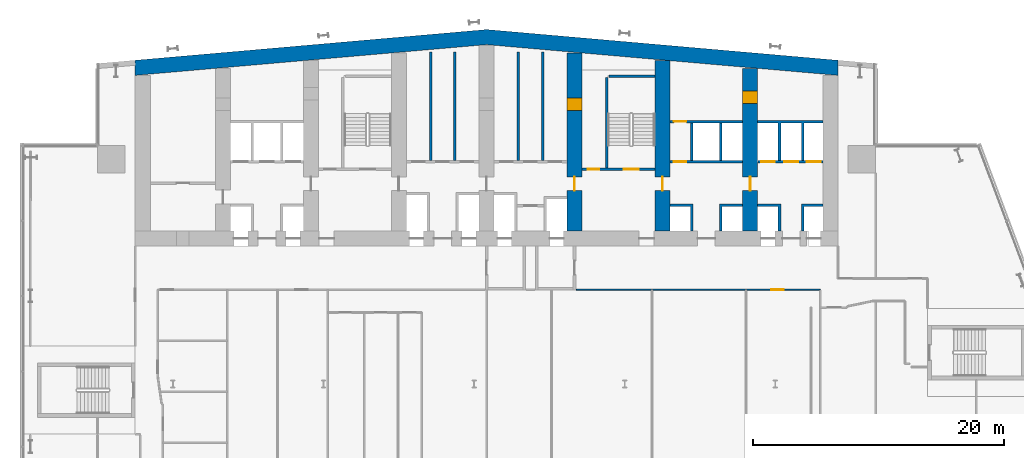
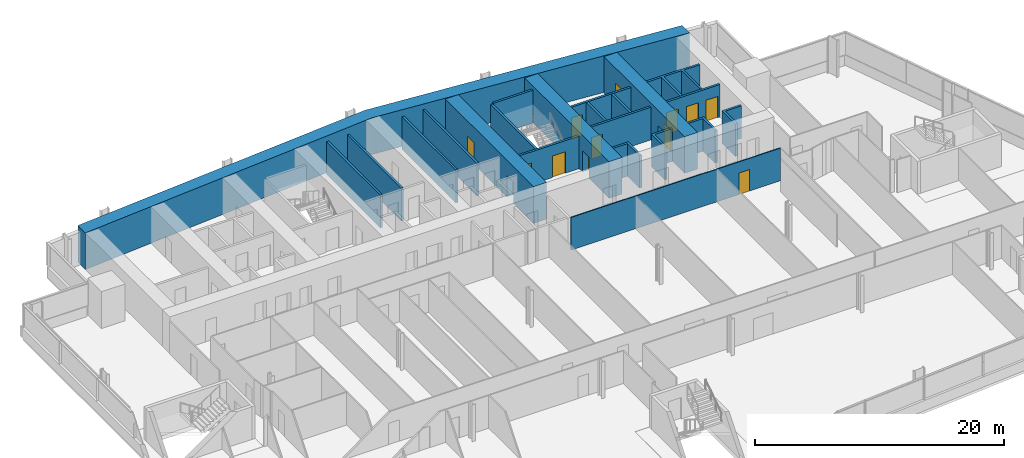
# One storey, part 17 of 24: 22 walls, 13 doors, 13 openings.
"""IFC4 building model written with IfcOpenShell, lengths in metres."""

from ifc_helpers import new_model, si_unit, direction, frame, frame_2d, origin, place, context, subcontext, project, spatial, polyline, rectangle, outline, extrude, material, layer, layer_set, type_object, element, fill, save


model = new_model("IFC4")

# Units and contexts
model_context = context("Model", 3, precision=1e-05, world=origin(), true_north=direction((0.0, 1.0)))
body_context = subcontext(model_context, "Body", "Model", "MODEL_VIEW")
ifc_project = project(units=[si_unit("LENGTHUNIT", "METRE"), si_unit("AREAUNIT", "SQUARE_METRE"), si_unit("VOLUMEUNIT", "CUBIC_METRE"), si_unit("PLANEANGLEUNIT", "RADIAN"), si_unit("MASSUNIT", "GRAM", prefix="KILO")], contexts=[model_context])

# Site, building, storey
site_placement = place(None, origin())
site = spatial("IfcSite", under=ifc_project, at=site_placement, CompositionType="ELEMENT")
building_placement = place(site_placement, origin())
building = spatial("IfcBuilding", under=site, at=building_placement, Name="Wharfspan Tower", CompositionType="ELEMENT")
storey_placement = place(building_placement, frame((0.0, 0.0, 41.5)))
storey = spatial("IfcBuildingStorey", under=building, at=storey_placement, Name="L06", CompositionType="ELEMENT", Elevation=41.5)

# Wall, opening, door
ifc_material_1 = material(Name="Gypsum board on steel studs", Category="steel")
ifc_layer_1 = layer(ifc_material_1, 0.100098)
ifc_layer_set_1 = layer_set([ifc_layer_1], Name="Gypsum board on steel studs")
wall_type_1 = type_object("IfcWallType", Name="Compartment wall 100 EI 60", PredefinedType="PARTITIONING", material=ifc_layer_set_1)
wall_1_placement = place(storey_placement, frame((44.149902, 30.5, 0.0), z_axis=(0.0, 0.0, 1.0), x_axis=(1.0, 0.0, 0.0)))
wall_1 = element("IfcWall", 1, at=wall_1_placement, inside=storey, type_object=wall_type_1, Name="Partition L06.w014 (3)", PredefinedType="PARTITIONING", context=body_context, shape_type="SweptSolid", body=[
    extrude(rectangle(XDim=19.420166, YDim=0.100098, at=frame_2d((9.709961, 0.0))), origin(), (0.0, 0.0, 1.0), 3.199951),
])
opening_1_placement = place(wall_1_placement, frame((15.540039, 0.0, 0.0)))
opening_1 = element("IfcOpeningElement", 2, at=opening_1_placement, cuts=wall_1, Name="Opening A1-29", PredefinedType="OPENING", context=body_context, shape_type="SweptSolid", body=[
    extrude(rectangle(XDim=1.0, YDim=2.100098, at=frame_2d((0.5, 1.050049))), frame((0.0, 0.060059, 0.0), z_axis=(0.0, -1.0, 0.0), x_axis=(1.0, 0.0, 0.0)), (0.0, 0.0, 1.0), 0.120117),
])
ifc_material_2 = material(Name="Fire-rated timber door leaf in steel frame", Category="steel")
door_type_1 = type_object("IfcDoorType", Name="Door 1000 FD30S Right", OperationType="SINGLE_SWING_RIGHT", PredefinedType="DOOR", material=ifc_material_2)
door_1_placement = place(opening_1_placement, origin())
door_1 = element("IfcDoor", 3, at=door_1_placement, inside=storey, type_object=door_type_1, Name="Door A1-29", OperationType="SINGLE_SWING_RIGHT", OverallHeight=2.100098, OverallWidth=1.0, PredefinedType="DOOR", context=body_context, shape_type="SweptSolid", body=[
    extrude(rectangle(XDim=1.0, YDim=2.100098, at=frame_2d((0.5, 1.050049))), frame((0.0, 0.024902, 0.0), z_axis=(0.0, -1.0, 0.0), x_axis=(1.0, 0.0, 0.0)), (0.0, 0.0, 1.0), 0.050049),
])
fill(opening_1, door_1)

# Walls
ifc_material_3 = material(Name="Calcium silicate masonry", Category="masonry")
ifc_layer_2 = layer(ifc_material_3, 0.199951)
ifc_layer_set_2 = layer_set([ifc_layer_2], Name="Calcium silicate masonry")
wall_type_2 = type_object("IfcWallType", Name="Core room wall 200", PredefinedType="PARTITIONING", material=ifc_layer_set_2)
for number, where, z_axis, x_axis, name in (
    (4, (32.533203, 40.800049, 0.0), (0.0, 0.0, 1.0), (0.0, 1.0, 0.0), "sw:L06:RP3.1"),
    (5, (34.466797, 40.800049, 0.0), (0.0, 0.0, 1.0), (0.0, 1.0, 0.0), "sw:L06:RP3.2"),
    (6, (39.533203, 40.800049, 0.0), (0.0, 0.0, 1.0), (0.0, 1.0, 0.0), "sw:L06:RP4.1"),
    (7, (41.466797, 40.800049, 0.0), (0.0, 0.0, 1.0), (0.0, 1.0, 0.0), "sw:L06:RP4.2"),
):
    element("IfcWall", number, at=place(storey_placement, frame(where, z_axis=z_axis, x_axis=x_axis)), inside=storey, type_object=wall_type_2, Name=name, PredefinedType="PARTITIONING", context=body_context, shape_type="SweptSolid", body=[
        extrude(rectangle(XDim=8.652588, YDim=0.199951, at=frame_2d((4.326172, 0.0))), origin(), (0.0, 0.0, 1.0), 3.199951),
    ])
ifc_material_4 = material(Name="Concrete C70/85", Category="concrete")
ifc_layer_3 = layer(ifc_material_4, 1.199951)
ifc_layer_set_3 = layer_set([ifc_layer_3], Name="Concrete C70/85")
wall_type_3 = type_object("IfcWallType", Name="Core wall 1200 C70/85", PredefinedType="SHEAR", material=ifc_layer_set_3)
wall_2_placement = place(storey_placement, origin())
element("IfcWall", 8, at=wall_2_placement, inside=storey, type_object=wall_type_3, Name="Core rear wall L06", PredefinedType="SHEAR", context=body_context, shape_type="SweptSolid", body=[
    extrude(outline(polyline([(9.0, 47.582764), (37.0, 50.032471), (65.0, 47.582764), (65.0, 48.787354), (37.0, 51.237061), (9.0, 48.787354), (9.0, 47.582764)])), origin(), (0.0, 0.0, 1.0), 3.600098),
])

# Wall, openings, doors
wall_3_placement = place(storey_placement, frame((44.0, 35.199951, 0.0), z_axis=(0.0, 0.0, 1.0), x_axis=(0.0, 1.0, 0.0)))
wall_3 = element("IfcWall", 9, at=wall_3_placement, inside=storey, type_object=wall_type_3, Name="Core cross wall X5 L06", PredefinedType="SHEAR", context=body_context, shape_type="SweptSolid", body=[
    extrude(rectangle(XDim=14.167725, YDim=1.199951, at=frame_2d((7.083984, 0.0))), origin(), (0.0, 0.0, 1.0), 3.600098),
])
opening_2_placement = place(wall_3_placement, frame((3.199951, 0.0, 0.0)))
opening_2 = element("IfcOpeningElement", 10, at=opening_2_placement, cuts=wall_3, Name="Opening CC06.5", PredefinedType="OPENING", context=body_context, shape_type="SweptSolid", body=[
    extrude(rectangle(XDim=1.100098, YDim=2.100098, at=frame_2d((0.550049, 1.050049))), frame((0.0, 0.609863, 0.0), z_axis=(0.0, -1.0, 0.0), x_axis=(1.0, 0.0, 0.0)), (0.0, 0.0, 1.0), 1.219971),
])
opening_3_placement = place(wall_3_placement, frame((9.600098, 0.0, 0.0)))
opening_3 = element("IfcOpeningElement", 11, at=opening_3_placement, cuts=wall_3, Name="Opening CR06.5", PredefinedType="OPENING", context=body_context, shape_type="SweptSolid", body=[
    extrude(rectangle(XDim=1.0, YDim=2.100098, at=frame_2d((0.5, 1.050049))), frame((0.0, 0.609863, 0.0), z_axis=(0.0, -1.0, 0.0), x_axis=(1.0, 0.0, 0.0)), (0.0, 0.0, 1.0), 1.219971),
])
ifc_material_5 = material(Name="Steel door leaf", Category="steel")
door_type_2 = type_object("IfcDoorType", Name="Core corridor door 1100x2100", OperationType="SINGLE_SWING_LEFT", PredefinedType="DOOR", material=ifc_material_5)
door_2_placement = place(opening_2_placement, origin())
door_2 = element("IfcDoor", 12, at=door_2_placement, inside=storey, type_object=door_type_2, Name="xd:L06:5", OperationType="SINGLE_SWING_LEFT", OverallHeight=2.100098, OverallWidth=1.100098, PredefinedType="DOOR", context=body_context, shape_type="SweptSolid", body=[
    extrude(rectangle(XDim=1.100098, YDim=2.100098, at=frame_2d((0.550049, 1.050049))), frame((0.0, 0.024902, 0.0), z_axis=(0.0, -1.0, 0.0), x_axis=(1.0, 0.0, 0.0)), (0.0, 0.0, 1.0), 0.050049),
])
fill(opening_2, door_2)
door_type_3 = type_object("IfcDoorType", Name="Core room door 1000x2100", OperationType="SINGLE_SWING_LEFT", PredefinedType="DOOR", material=ifc_material_5)
door_3_placement = place(opening_3_placement, origin())
door_3 = element("IfcDoor", 13, at=door_3_placement, inside=storey, type_object=door_type_3, Name="xr:L06:5", OperationType="SINGLE_SWING_RIGHT", OverallHeight=2.100098, OverallWidth=1.0, PredefinedType="DOOR", context=body_context, shape_type="SweptSolid", body=[
    extrude(rectangle(XDim=1.0, YDim=2.100098, at=frame_2d((0.5, 1.050049))), frame((0.0, 0.599609, 0.0), z_axis=(0.0, -1.0, 0.0), x_axis=(1.0, 0.0, 0.0)), (0.0, 0.0, 1.0), 1.199463),
])
fill(opening_3, door_3)

# Wall, opening, door
wall_4_placement = place(storey_placement, frame((51.0, 35.199951, 0.0), z_axis=(0.0, 0.0, 1.0), x_axis=(0.0, 1.0, 0.0)))
wall_4 = element("IfcWall", 14, at=wall_4_placement, inside=storey, type_object=wall_type_3, Name="Core cross wall X6 L06", PredefinedType="SHEAR", context=body_context, shape_type="SweptSolid", body=[
    extrude(rectangle(XDim=13.555176, YDim=1.199951, at=frame_2d((6.777588, 0.0))), origin(), (0.0, 0.0, 1.0), 3.600098),
])
opening_4_placement = place(wall_4_placement, frame((3.199951, 0.0, 0.0)))
opening_4 = element("IfcOpeningElement", 15, at=opening_4_placement, cuts=wall_4, Name="Opening CC06.6", PredefinedType="OPENING", context=body_context, shape_type="SweptSolid", body=[
    extrude(rectangle(XDim=1.100098, YDim=2.100098, at=frame_2d((0.550049, 1.050049))), frame((0.0, 0.609863, 0.0), z_axis=(0.0, -1.0, 0.0), x_axis=(1.0, 0.0, 0.0)), (0.0, 0.0, 1.0), 1.219971),
])
door_4_placement = place(opening_4_placement, origin())
door_4 = element("IfcDoor", 16, at=door_4_placement, inside=storey, type_object=door_type_2, Name="xd:L06:6", OperationType="SINGLE_SWING_RIGHT", OverallHeight=2.100098, OverallWidth=1.100098, PredefinedType="DOOR", context=body_context, shape_type="SweptSolid", body=[
    extrude(rectangle(XDim=1.100098, YDim=2.100098, at=frame_2d((0.550049, 1.050049))), frame((0.0, 0.024902, 0.0), z_axis=(0.0, -1.0, 0.0), x_axis=(1.0, 0.0, 0.0)), (0.0, 0.0, 1.0), 0.050049),
])
fill(opening_4, door_4)

# Wall, openings, doors
wall_5_placement = place(storey_placement, frame((58.0, 35.199951, 0.0), z_axis=(0.0, 0.0, 1.0), x_axis=(0.0, 1.0, 0.0)))
wall_5 = element("IfcWall", 17, at=wall_5_placement, inside=storey, type_object=wall_type_3, Name="Core cross wall X7 L06", PredefinedType="SHEAR", context=body_context, shape_type="SweptSolid", body=[
    extrude(rectangle(XDim=12.942871, YDim=1.199951, at=frame_2d((6.471436, 0.0))), origin(), (0.0, 0.0, 1.0), 3.600098),
])
opening_5_placement = place(wall_5_placement, frame((10.133789, 0.0, 0.0)))
opening_5 = element("IfcOpeningElement", 18, at=opening_5_placement, cuts=wall_5, Name="Opening CD06.7X", PredefinedType="OPENING", context=body_context, shape_type="SweptSolid", body=[
    extrude(rectangle(XDim=1.0, YDim=2.100098, at=frame_2d((0.5, 1.050049))), frame((0.0, 0.609863, 0.0), z_axis=(0.0, -1.0, 0.0), x_axis=(1.0, 0.0, 0.0)), (0.0, 0.0, 1.0), 1.219971),
])
opening_6_placement = place(wall_5_placement, frame((3.199951, 0.0, 0.0)))
opening_6 = element("IfcOpeningElement", 19, at=opening_6_placement, cuts=wall_5, Name="Opening CC06.7", PredefinedType="OPENING", context=body_context, shape_type="SweptSolid", body=[
    extrude(rectangle(XDim=1.100098, YDim=2.100098, at=frame_2d((0.550049, 1.050049))), frame((0.0, 0.609863, 0.0), z_axis=(0.0, -1.0, 0.0), x_axis=(1.0, 0.0, 0.0)), (0.0, 0.0, 1.0), 1.219971),
])
door_5_placement = place(opening_6_placement, origin())
door_5 = element("IfcDoor", 20, at=door_5_placement, inside=storey, type_object=door_type_2, Name="xd:L06:7", OperationType="SINGLE_SWING_LEFT", OverallHeight=2.100098, OverallWidth=1.100098, PredefinedType="DOOR", context=body_context, shape_type="SweptSolid", body=[
    extrude(rectangle(XDim=1.100098, YDim=2.100098, at=frame_2d((0.550049, 1.050049))), frame((0.0, 0.024902, 0.0), z_axis=(0.0, -1.0, 0.0), x_axis=(1.0, 0.0, 0.0)), (0.0, 0.0, 1.0), 0.050049),
])
fill(opening_6, door_5)
door_6_placement = place(opening_5_placement, origin())
door_6 = element("IfcDoor", 21, at=door_6_placement, inside=storey, type_object=door_type_3, Name="d:L06:7:sx", OperationType="SINGLE_SWING_LEFT", OverallHeight=2.100098, OverallWidth=1.0, PredefinedType="DOOR", context=body_context, shape_type="SweptSolid", body=[
    extrude(rectangle(XDim=1.0, YDim=2.100098, at=frame_2d((0.5, 1.050049))), frame((0.0, 0.599609, 0.0), z_axis=(0.0, -1.0, 0.0), x_axis=(1.0, 0.0, 0.0)), (0.0, 0.0, 1.0), 1.199463),
])
fill(opening_5, door_6)

# Wall, opening, door
ifc_material_6 = material(Name="Concrete C30/37", Category="concrete")
ifc_layer_4 = layer(ifc_material_6, 0.199951)
ifc_layer_set_4 = layer_set([ifc_layer_4], Name="Concrete C30/37")
wall_type_4 = type_object("IfcWallType", Name="Lift shaft wall 200", PredefinedType="PARTITIONING", material=ifc_layer_set_4)
wall_6_placement = place(storey_placement, frame((51.600098, 40.699951, 0.0), z_axis=(0.0, 0.0, 1.0), x_axis=(1.0, 0.0, 0.0)))
wall_6 = element("IfcWall", 22, at=wall_6_placement, inside=storey, type_object=wall_type_4, Name="sw:L06:RF6", PredefinedType="PARTITIONING", context=body_context, shape_type="SweptSolid", body=[
    extrude(rectangle(XDim=5.799805, YDim=0.199951, at=frame_2d((2.899902, 0.0))), origin(), (0.0, 0.0, 1.0), 3.199951),
])
opening_7_placement = place(wall_6_placement, frame((0.31665, 0.0, 0.0)))
opening_7 = element("IfcOpeningElement", 23, at=opening_7_placement, cuts=wall_6, Name="Opening CD06.6R1", PredefinedType="OPENING", context=body_context, shape_type="SweptSolid", body=[
    extrude(rectangle(XDim=1.0, YDim=2.100098, at=frame_2d((0.5, 1.050049))), frame((0.0, 0.109863, 0.0), z_axis=(0.0, -1.0, 0.0), x_axis=(1.0, 0.0, 0.0)), (0.0, 0.0, 1.0), 0.219971),
])
door_7_placement = place(opening_7_placement, origin())
door_7 = element("IfcDoor", 24, at=door_7_placement, inside=storey, type_object=door_type_3, Name="d:L06:6:rd6.1", OperationType="SINGLE_SWING_RIGHT", OverallHeight=2.100098, OverallWidth=1.0, PredefinedType="DOOR", context=body_context, shape_type="SweptSolid", body=[
    extrude(rectangle(XDim=1.0, YDim=2.100098, at=frame_2d((0.5, 1.050049))), frame((0.0, 0.024902, 0.0), z_axis=(0.0, -1.0, 0.0), x_axis=(1.0, 0.0, 0.0)), (0.0, 0.0, 1.0), 0.050049),
])
fill(opening_7, door_7)

wall_7_placement = place(storey_placement, frame((51.600098, 43.899902, 0.0), z_axis=(0.0, 0.0, 1.0), x_axis=(1.0, 0.0, 0.0)))
wall_7 = element("IfcWall", 25, at=wall_7_placement, inside=storey, type_object=wall_type_4, Name="sw:L06:RR6", PredefinedType="PARTITIONING", context=body_context, shape_type="SweptSolid", body=[
    extrude(rectangle(XDim=5.799805, YDim=0.199951, at=frame_2d((2.899902, 0.0))), origin(), (0.0, 0.0, 1.0), 3.199951),
])
opening_8_placement = place(wall_7_placement, frame((0.31665, 0.0, 0.0)))
opening_8 = element("IfcOpeningElement", 26, at=opening_8_placement, cuts=wall_7, Name="Opening CD06.6S1", PredefinedType="OPENING", context=body_context, shape_type="SweptSolid", body=[
    extrude(rectangle(XDim=1.0, YDim=2.100098, at=frame_2d((0.5, 1.050049))), frame((0.0, 0.109863, 0.0), z_axis=(0.0, -1.0, 0.0), x_axis=(1.0, 0.0, 0.0)), (0.0, 0.0, 1.0), 0.219971),
])
door_8_placement = place(opening_8_placement, origin())
door_8 = element("IfcDoor", 27, at=door_8_placement, inside=storey, type_object=door_type_3, Name="d:L06:6:rs6.1", OperationType="SINGLE_SWING_LEFT", OverallHeight=2.100098, OverallWidth=1.0, PredefinedType="DOOR", context=body_context, shape_type="SweptSolid", body=[
    extrude(rectangle(XDim=1.0, YDim=2.100098, at=frame_2d((0.5, 1.050049))), frame((0.0, 0.024902, 0.0), z_axis=(0.0, -1.0, 0.0), x_axis=(1.0, 0.0, 0.0)), (0.0, 0.0, 1.0), 0.050049),
])
fill(opening_8, door_8)

# Walls
wall_8_placement = place(storey_placement, frame((0.0, 0.0, -0.000244)))
element("IfcWall", 28, at=wall_8_placement, inside=storey, type_object=wall_type_4, Name="sw:L06:FM6.0", PredefinedType="PARTITIONING", context=body_context, shape_type="SweptSolid", body=[
    extrude(outline(polyline([(53.233398, 37.149902), (51.600098, 37.149902), (51.600098, 37.350098), (53.233398, 37.350098), (53.43335, 37.350098), (53.43335, 35.199951), (53.233398, 35.199951), (53.233398, 37.149902)])), origin(), (0.0, 0.0, 1.0), 3.200195),
])
wall_9_placement = place(storey_placement, frame((0.0, 0.0, -0.000244)))
element("IfcWall", 29, at=wall_9_placement, inside=storey, type_object=wall_type_4, Name="sw:L06:FM6.1", PredefinedType="PARTITIONING", context=body_context, shape_type="SweptSolid", body=[
    extrude(outline(polyline([(55.56665, 37.350098), (55.766602, 37.350098), (57.399902, 37.350098), (57.399902, 37.149902), (55.766602, 37.149902), (55.766602, 35.199951), (55.56665, 35.199951), (55.56665, 37.350098)])), origin(), (0.0, 0.0, 1.0), 3.200195),
])
wall_10_placement = place(storey_placement, frame((0.0, 0.0, -0.000244)))
element("IfcWall", 30, at=wall_10_placement, inside=storey, type_object=wall_type_4, Name="sw:L06:RM6.0", PredefinedType="PARTITIONING", context=body_context, shape_type="SweptSolid", body=[
    extrude(outline(polyline([(53.233398, 40.800049), (53.233398, 43.800049), (53.43335, 43.800049), (53.43335, 40.800049), (53.233398, 40.800049)])), origin(), (0.0, 0.0, 1.0), 3.200195),
])
wall_11_placement = place(storey_placement, frame((0.0, 0.0, -0.000244)))
element("IfcWall", 31, at=wall_11_placement, inside=storey, type_object=wall_type_4, Name="sw:L06:RM6.1", PredefinedType="PARTITIONING", context=body_context, shape_type="SweptSolid", body=[
    extrude(outline(polyline([(55.56665, 40.800049), (55.56665, 43.800049), (55.766602, 43.800049), (55.766602, 40.800049), (55.56665, 40.800049)])), origin(), (0.0, 0.0, 1.0), 3.200195),
])

# Wall, openings, doors
wall_12_placement = place(storey_placement, frame((58.600098, 40.699951, 0.0), z_axis=(0.0, 0.0, 1.0), x_axis=(1.0, 0.0, 0.0)))
wall_12 = element("IfcWall", 32, at=wall_12_placement, inside=storey, type_object=wall_type_4, Name="sw:L06:RF7", PredefinedType="PARTITIONING", context=body_context, shape_type="SweptSolid", body=[
    extrude(rectangle(XDim=5.199951, YDim=0.199951, at=frame_2d((2.600098, 0.0))), origin(), (0.0, 0.0, 1.0), 3.199951),
])
opening_9_placement = place(wall_12_placement, frame((0.266602, 0.0, 0.0)))
opening_9 = element("IfcOpeningElement", 33, at=opening_9_placement, cuts=wall_12, Name="Opening LD.LA8.L06", PredefinedType="OPENING", context=body_context, shape_type="SweptSolid", body=[
    extrude(rectangle(XDim=1.100098, YDim=2.100098, at=frame_2d((0.550049, 1.050049))), frame((0.0, 0.109863, 0.0), z_axis=(0.0, -1.0, 0.0), x_axis=(1.0, 0.0, 0.0)), (0.0, 0.0, 1.0), 0.219971),
])
opening_10_placement = place(wall_12_placement, frame((2.116699, 0.0, 0.0)))
opening_10 = element("IfcOpeningElement", 34, at=opening_10_placement, cuts=wall_12, Name="Opening LD.LA9.L06", PredefinedType="OPENING", context=body_context, shape_type="SweptSolid", body=[
    extrude(rectangle(XDim=1.100098, YDim=2.100098, at=frame_2d((0.550049, 1.050049))), frame((0.0, 0.109863, 0.0), z_axis=(0.0, -1.0, 0.0), x_axis=(1.0, 0.0, 0.0)), (0.0, 0.0, 1.0), 0.219971),
])
opening_11_placement = place(wall_12_placement, frame((3.899902, 0.0, 0.0)))
opening_11 = element("IfcOpeningElement", 35, at=opening_11_placement, cuts=wall_12, Name="Opening LD.LA10.L06", PredefinedType="OPENING", context=body_context, shape_type="SweptSolid", body=[
    extrude(rectangle(XDim=1.100098, YDim=2.100098, at=frame_2d((0.550049, 1.050049))), frame((0.0, 0.109863, 0.0), z_axis=(0.0, -1.0, 0.0), x_axis=(1.0, 0.0, 0.0)), (0.0, 0.0, 1.0), 0.219971),
])
ifc_material_7 = material(Name="Stainless steel", Category="steel")
door_type_4 = type_object("IfcDoorType", Name="Lift landing door 1100x2100", OperationType="DOUBLE_DOOR_SLIDING", PredefinedType="DOOR", material=ifc_material_7)
door_9_placement = place(opening_9_placement, origin())
door_9 = element("IfcDoor", 36, at=door_9_placement, inside=storey, type_object=door_type_4, Name="Landing door LA8 L06", OperationType="DOUBLE_DOOR_SLIDING", OverallHeight=2.100098, OverallWidth=1.100098, PredefinedType="DOOR", context=body_context, shape_type="SweptSolid", body=[
    extrude(rectangle(XDim=1.100098, YDim=2.100098, at=frame_2d((0.550049, 1.050049))), frame((0.0, 0.024902, 0.0), z_axis=(0.0, -1.0, 0.0), x_axis=(1.0, 0.0, 0.0)), (0.0, 0.0, 1.0), 0.050049),
])
fill(opening_9, door_9)
door_10_placement = place(opening_10_placement, origin())
door_10 = element("IfcDoor", 37, at=door_10_placement, inside=storey, type_object=door_type_4, Name="Landing door LA9 L06", OperationType="DOUBLE_DOOR_SLIDING", OverallHeight=2.100098, OverallWidth=1.100098, PredefinedType="DOOR", context=body_context, shape_type="SweptSolid", body=[
    extrude(rectangle(XDim=1.100098, YDim=2.100098, at=frame_2d((0.550049, 1.050049))), frame((0.0, 0.024902, 0.0), z_axis=(0.0, -1.0, 0.0), x_axis=(1.0, 0.0, 0.0)), (0.0, 0.0, 1.0), 0.050049),
])
fill(opening_10, door_10)
door_11_placement = place(opening_11_placement, origin())
door_11 = element("IfcDoor", 38, at=door_11_placement, inside=storey, type_object=door_type_4, Name="Landing door LA10 L06", OperationType="DOUBLE_DOOR_SLIDING", OverallHeight=2.100098, OverallWidth=1.100098, PredefinedType="DOOR", context=body_context, shape_type="SweptSolid", body=[
    extrude(rectangle(XDim=1.100098, YDim=2.100098, at=frame_2d((0.550049, 1.050049))), frame((0.0, 0.024902, 0.0), z_axis=(0.0, -1.0, 0.0), x_axis=(1.0, 0.0, 0.0)), (0.0, 0.0, 1.0), 0.050049),
])
fill(opening_11, door_11)

# Walls
wall_13_placement = place(storey_placement, frame((0.0, 0.0, -0.000244)))
element("IfcWall", 39, at=wall_13_placement, inside=storey, type_object=wall_type_4, Name="sw:L06:FM7.0", PredefinedType="PARTITIONING", context=body_context, shape_type="SweptSolid", body=[
    extrude(outline(polyline([(60.233398, 37.149902), (58.600098, 37.149902), (58.600098, 37.350098), (60.233398, 37.350098), (60.43335, 37.350098), (60.43335, 35.199951), (60.233398, 35.199951), (60.233398, 37.149902)])), origin(), (0.0, 0.0, 1.0), 3.200195),
])
wall_14_placement = place(storey_placement, frame((0.0, 0.0, -0.000244)))
element("IfcWall", 40, at=wall_14_placement, inside=storey, type_object=wall_type_4, Name="sw:L06:FM7.1", PredefinedType="PARTITIONING", context=body_context, shape_type="SweptSolid", body=[
    extrude(outline(polyline([(62.100098, 37.350098), (62.300049, 37.350098), (63.800049, 37.350098), (63.800049, 37.149902), (62.300049, 37.149902), (62.300049, 35.199951), (62.100098, 35.199951), (62.100098, 37.350098)])), origin(), (0.0, 0.0, 1.0), 3.200195),
])
wall_15_placement = place(storey_placement, frame((0.0, 0.0, -0.000244)))
element("IfcWall", 41, at=wall_15_placement, inside=storey, type_object=wall_type_4, Name="sw:L06:RM7.0", PredefinedType="PARTITIONING", context=body_context, shape_type="SweptSolid", body=[
    extrude(outline(polyline([(60.43335, 40.800049), (60.233398, 40.800049), (60.233398, 43.800049), (58.600098, 43.800049), (58.600098, 44.0), (63.800049, 44.0), (63.800049, 43.800049), (62.300049, 43.800049), (62.300049, 40.800049), (62.100098, 40.800049), (62.100098, 43.800049), (60.43335, 43.800049), (60.43335, 40.800049)])), origin(), (0.0, 0.0, 1.0), 3.200195),
])

# Wall, openings, doors
ifc_material_8 = material(Name="Concrete C40/50", Category="concrete")
ifc_layer_5 = layer(ifc_material_8, 0.199951)
ifc_layer_set_5 = layer_set([ifc_layer_5], Name="Concrete C40/50")
wall_type_5 = type_object("IfcWallType", Name="Stair shaft wall 200", PredefinedType="SHEAR", material=ifc_layer_set_5)
wall_16_placement = place(storey_placement, frame((44.600098, 40.100098, 0.0), z_axis=(0.0, 0.0, 1.0), x_axis=(1.0, 0.0, 0.0)))
wall_16 = element("IfcWall", 42, at=wall_16_placement, inside=storey, type_object=wall_type_5, Name="ST2 stair enclosure wall L06", PredefinedType="SHEAR", context=body_context, shape_type="SweptSolid", body=[
    extrude(rectangle(XDim=5.799805, YDim=0.199951, at=frame_2d((2.899902, 0.0))), origin(), (0.0, 0.0, 1.0), 3.199951),
])
opening_12_placement = place(wall_16_placement, frame((3.324951, 0.0, 0.0)))
opening_12 = element("IfcOpeningElement", 43, at=opening_12_placement, cuts=wall_16, Name="Opening SD5.L06", PredefinedType="OPENING", context=body_context, shape_type="SweptSolid", body=[
    extrude(rectangle(XDim=1.199951, YDim=2.100098, at=frame_2d((0.600098, 1.050049))), frame((0.0, 0.109863, 0.0), z_axis=(0.0, -1.0, 0.0), x_axis=(1.0, 0.0, 0.0)), (0.0, 0.0, 1.0), 0.219971),
])
opening_13_placement = place(wall_16_placement, frame((0.475098, 0.0, 0.0)))
opening_13 = element("IfcOpeningElement", 44, at=opening_13_placement, cuts=wall_16, Name="Opening CD06.5R", PredefinedType="OPENING", context=body_context, shape_type="SweptSolid", body=[
    extrude(rectangle(XDim=0.899902, YDim=2.100098, at=frame_2d((0.449951, 1.050049))), frame((0.0, 0.109863, 0.0), z_axis=(0.0, -1.0, 0.0), x_axis=(1.0, 0.0, 0.0)), (0.0, 0.0, 1.0), 0.219971),
])
door_12_placement = place(opening_13_placement, origin())
door_12 = element("IfcDoor", 45, at=door_12_placement, inside=storey, type_object=door_type_3, Name="rk:L06:5", OperationType="SINGLE_SWING_LEFT", OverallHeight=2.100098, OverallWidth=0.899902, PredefinedType="DOOR", context=body_context, shape_type="SweptSolid", body=[
    extrude(rectangle(XDim=0.899902, YDim=2.100098, at=frame_2d((0.449951, 1.050049))), frame((0.0, 0.024902, 0.0), z_axis=(0.0, -1.0, 0.0), x_axis=(1.0, 0.0, 0.0)), (0.0, 0.0, 1.0), 0.050049),
])
fill(opening_13, door_12)
door_type_5 = type_object("IfcDoorType", Name="Stair door 1200x2100", OperationType="SINGLE_SWING_LEFT", PredefinedType="DOOR", material=ifc_material_5)
door_13_placement = place(opening_12_placement, origin())
door_13 = element("IfcDoor", 46, at=door_13_placement, inside=storey, type_object=door_type_5, Name="sd:L06:5", OperationType="SINGLE_SWING_RIGHT", OverallHeight=2.100098, OverallWidth=1.199951, PredefinedType="DOOR", context=body_context, shape_type="SweptSolid", body=[
    extrude(rectangle(XDim=1.199951, YDim=2.100098, at=frame_2d((0.600098, 1.050049))), frame((0.0, 0.024902, 0.0), z_axis=(0.0, -1.0, 0.0), x_axis=(1.0, 0.0, 0.0)), (0.0, 0.0, 1.0), 0.050049),
])
fill(opening_12, door_13)

# Walls
wall_17_placement = place(storey_placement, frame((46.550049, 40.199951, 0.0), z_axis=(0.0, 0.0, 1.0), x_axis=(0.0, 1.0, 0.0)))
element("IfcWall", 47, at=wall_17_placement, inside=storey, type_object=wall_type_5, Name="ST2 stair enclosure wall L06", PredefinedType="SHEAR", context=body_context, shape_type="SweptSolid", body=[
    extrude(rectangle(XDim=7.199951, YDim=0.199951, at=frame_2d((3.600098, 0.0))), origin(), (0.0, 0.0, 1.0), 3.199951),
])
wall_18_placement = place(storey_placement, frame((46.75, 47.5, 0.0), z_axis=(0.0, 0.0, 1.0), x_axis=(1.0, 0.0, 0.0)))
element("IfcWall", 48, at=wall_18_placement, inside=storey, type_object=wall_type_5, Name="ST2 stair enclosure wall L06", PredefinedType="SHEAR", context=body_context, shape_type="SweptSolid", body=[
    extrude(rectangle(XDim=3.649902, YDim=0.199951, at=frame_2d((1.824951, 0.0))), origin(), (0.0, 0.0, 1.0), 3.199951),
])

save(model, "model.ifc")
